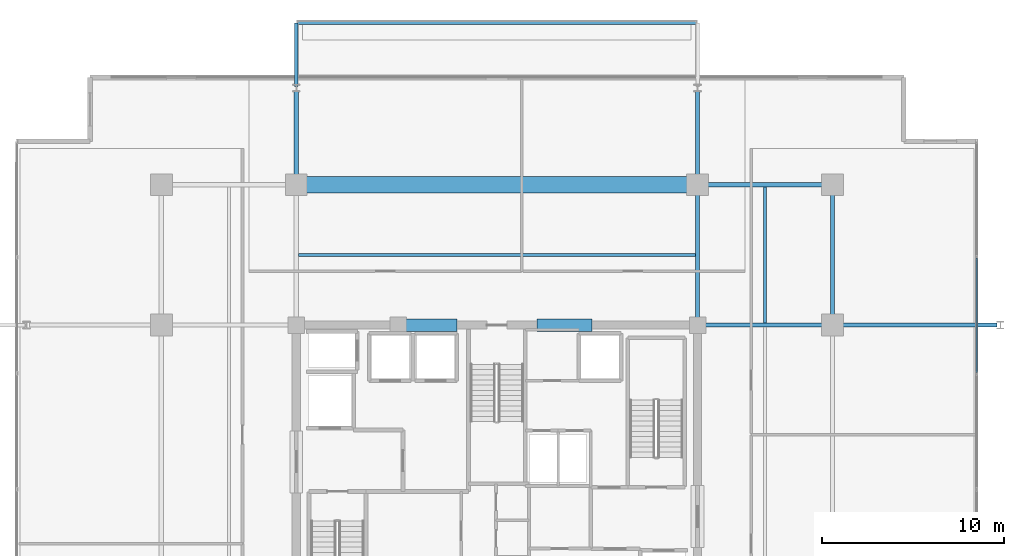
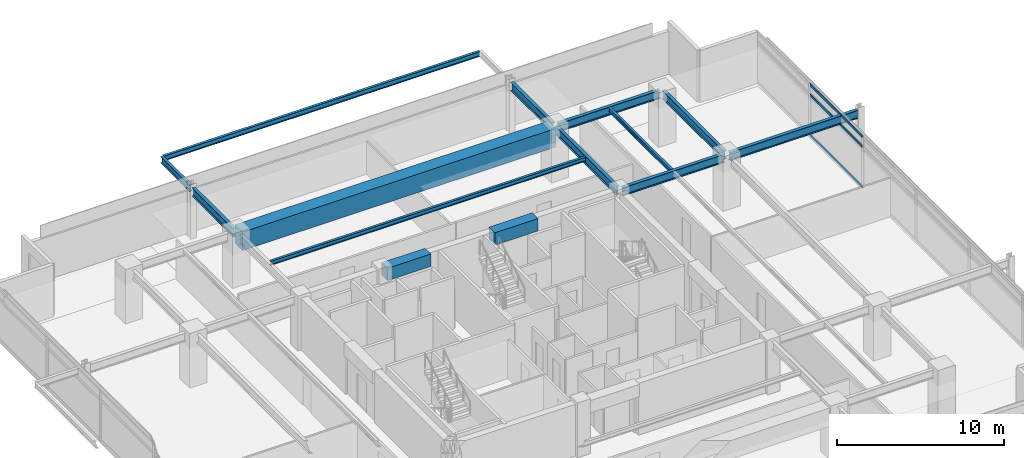
# One storey, part 12 of 23: 14 beams, 3 members, 1 element without a shape of its own.
"""IFC4 building model written with IfcOpenShell, lengths in metres."""

from ifc_helpers import new_model, si_unit, direction, frame, origin, origin_2d, place, context, subcontext, project, spatial, rectangle, hollow_rectangle, i_section, extrude, material, material_profile, profile_set, type_object, element, aggregate, save


model = new_model("IFC4")

# Units and contexts
model_context = context("Model", 3, precision=1e-05, world=origin(), true_north=direction((0.0, 1.0)))
body_context = subcontext(model_context, "Body", "Model", "MODEL_VIEW")
ifc_project = project(units=[si_unit("LENGTHUNIT", "METRE"), si_unit("AREAUNIT", "SQUARE_METRE"), si_unit("VOLUMEUNIT", "CUBIC_METRE"), si_unit("PLANEANGLEUNIT", "RADIAN"), si_unit("MASSUNIT", "GRAM", prefix="KILO")], contexts=[model_context])

# Site, building, storey
site_placement = place(None, origin())
site = spatial("IfcSite", under=ifc_project, at=site_placement, CompositionType="ELEMENT")
building_placement = place(site_placement, origin())
building = spatial("IfcBuilding", under=site, at=building_placement, Name="Kovane Verandah Tower", CompositionType="ELEMENT")
storey_placement = place(building_placement, frame((0.0, 0.0, 243.199951171875)))
storey = spatial("IfcBuildingStorey", under=building, at=storey_placement, Name="L56", CompositionType="ELEMENT", Elevation=243.199951171875)

# Beams
ifc_material_1 = material(Name="Concrete C60/75", Category="concrete")
ifc_material_profile_1 = material_profile(ifc_material_1, rectangle(XDim=0.699951171875, YDim=0.89990234375, at=origin_2d()), Name="RCB700x900")
ifc_profile_set_1 = profile_set([ifc_material_profile_1], Name="Concrete C60/75")
beam_type_1 = type_object("IfcBeamType", Name="BM-LINTEL-700x900", PredefinedType="LINTEL", material=ifc_profile_set_1)
for number, where, z_axis, x_axis, name in (
    (1, (34.800048828125, 36.5, 3.3349609375), (1.0, 0.0, 0.0), (0.0, 1.0, 0.0), "L56 Core Coupling Lintel CL-N1"),
    (2, (42.199951171875, 36.5, 3.3349609375), (1.0, 0.0, 0.0), (0.0, 1.0, 0.0), "L56 Core Coupling Lintel CL-N2"),
):
    element("IfcBeam", number, at=place(storey_placement, frame(where, z_axis=z_axis, x_axis=x_axis)), inside=storey, type_object=beam_type_1, Name=name, PredefinedType="LINTEL", context=body_context, shape_type="SweptSolid", body=[
        extrude(rectangle(XDim=0.699951171875, YDim=0.89990234375, at=origin_2d()), origin(), (0.0, 0.0, 1.0), 3.0),
    ])
ifc_material_2 = material(Name="Concrete C80/95", Category="concrete")
ifc_material_profile_2 = material_profile(ifc_material_2, rectangle(XDim=0.89990234375, YDim=1.35009765625, at=origin_2d()), Name="RCB900x1350")
ifc_profile_set_2 = profile_set([ifc_material_profile_2], Name="Concrete C80/95")
beam_type_2 = type_object("IfcBeamType", Name="BM-TR-900x1350", PredefinedType="BEAM", material=ifc_profile_set_2)
beam_1_placement = place(storey_placement, frame((29.179931640625, 44.199951171875, 3.110107421875), z_axis=(1.0, 0.0, 0.0), x_axis=(0.0, 1.0, 0.0)))
element("IfcBeam", 3, at=beam_1_placement, inside=storey, type_object=beam_type_2, Name="L56 Primary Tower Girder G-RN2", PredefinedType="BEAM", context=body_context, shape_type="SweptSolid", body=[
    extrude(rectangle(XDim=0.89990234375, YDim=1.35009765625, at=origin_2d()), origin(), (0.0, 0.0, 1.0), 21.64013671875),
])
ifc_material_3 = material(Name="Steel S355", Category="steel")
ifc_material_profile_3 = material_profile(ifc_material_3, i_section(OverallWidth=0.230224609375, OverallDepth=0.6171875, WebThickness=0.01318359375, FlangeThickness=0.022216796875, FilletRadius=0.0126953125, at=origin_2d()), Name="UB610x229x140")
ifc_profile_set_3 = profile_set([ifc_material_profile_3], Name="Steel S355")
beam_type_3 = type_object("IfcBeamType", Name="BM-UB610x140", PredefinedType="BEAM", material=ifc_profile_set_3)
beam_2_placement = place(storey_placement, frame((51.179931640625, 44.199951171875, 3.4765625), z_axis=(1.0, 0.0, 0.0), x_axis=(0.0, 1.0, 0.0)))
element("IfcBeam", 4, at=beam_2_placement, inside=storey, type_object=beam_type_3, Name="L56 Primary Tower Girder G-RN3", PredefinedType="BEAM", context=body_context, shape_type="SweptSolid", body=[
    extrude(i_section(OverallWidth=0.230224609375, OverallDepth=0.6171875, WebThickness=0.01318359375, FlangeThickness=0.022216796875, FilletRadius=0.0126953125, at=origin_2d()), origin(), (0.0, 0.0, 1.0), 7.0400390625),
])
beam_3_placement = place(storey_placement, frame((58.39990234375, 36.679931640625, 3.4765625), z_axis=(0.0, 1.0, 0.0), x_axis=(-1.0, 0.0, 0.0)))
element("IfcBeam", 5, at=beam_3_placement, inside=storey, type_object=beam_type_3, Name="L56 Primary Tower Girder G-RE3", PredefinedType="BEAM", context=body_context, shape_type="SweptSolid", body=[
    extrude(i_section(OverallWidth=0.230224609375, OverallDepth=0.6171875, WebThickness=0.01318359375, FlangeThickness=0.022216796875, FilletRadius=0.0126953125, at=origin_2d()), origin(), (0.0, 0.0, 1.0), 7.340087890625),
])
beam_4_placement = place(storey_placement, frame((51.179931640625, 36.5, 3.4765625), z_axis=(1.0, 0.0, 0.0), x_axis=(0.0, 1.0, 0.0)))
element("IfcBeam", 6, at=beam_4_placement, inside=storey, type_object=beam_type_3, Name="L56 Primary Tower Girder G-E2", PredefinedType="BEAM", context=body_context, shape_type="SweptSolid", body=[
    extrude(i_section(OverallWidth=0.230224609375, OverallDepth=0.6171875, WebThickness=0.01318359375, FlangeThickness=0.022216796875, FilletRadius=0.0126953125, at=origin_2d()), origin(), (0.0, 0.0, 1.0), 7.0400390625),
])
beam_5_placement = place(storey_placement, frame((51.0, 36.679931640625, 3.4765625), z_axis=(0.0, 1.0, 0.0), x_axis=(-1.0, 0.0, 0.0)))
element("IfcBeam", 7, at=beam_5_placement, inside=storey, type_object=beam_type_3, Name="L56 Primary Tower Girder G-N2", PredefinedType="BEAM", context=body_context, shape_type="SweptSolid", body=[
    extrude(i_section(OverallWidth=0.230224609375, OverallDepth=0.6171875, WebThickness=0.01318359375, FlangeThickness=0.022216796875, FilletRadius=0.0126953125, at=origin_2d()), origin(), (0.0, 0.0, 1.0), 7.340087890625),
])
beam_6_placement = place(storey_placement, frame((58.580078125, 36.5, 3.451416015625), z_axis=(1.0, 0.0, 0.0), x_axis=(0.0, 1.0, 0.0)))
element("IfcBeam", 8, at=beam_6_placement, inside=storey, type_object=beam_type_3, Name="L56 Primary Tower Girder G-VE2", PredefinedType="BEAM", context=body_context, shape_type="SweptSolid", body=[
    extrude(i_section(OverallWidth=0.230224609375, OverallDepth=0.6171875, WebThickness=0.01318359375, FlangeThickness=0.022216796875, FilletRadius=0.0126953125, at=origin_2d()), origin(), (0.0, 0.0, 1.0), 8.83984375),
])
for number, where, z_axis, x_axis, name in (
    (9, (29.0, 44.3798828125, 3.451416015625), (0.0, 1.0, 0.0), (-1.0, 0.0, 0.0), "L56 Primary Tower Girder G-VN1"),
    (10, (51.0, 44.3798828125, 3.451416015625), (0.0, 1.0, 0.0), (-1.0, 0.0, 0.0), "L56 Primary Tower Girder G-VN2"),
):
    element("IfcBeam", number, at=place(storey_placement, frame(where, z_axis=z_axis, x_axis=x_axis)), inside=storey, type_object=beam_type_3, Name=name, PredefinedType="BEAM", context=body_context, shape_type="SweptSolid", body=[
        extrude(i_section(OverallWidth=0.230224609375, OverallDepth=0.6171875, WebThickness=0.01318359375, FlangeThickness=0.022216796875, FilletRadius=0.0126953125, at=origin_2d()), origin(), (0.0, 0.0, 1.0), 4.940185546875),
    ])

# Curtain wall, members
ifc_material_4 = material(Name="Champagne Anodised Aluminium Frame with Low-E Clear Laminated Glass", Category="aluminium")
curtain_wall_type = type_object("IfcCurtainWallType", Name="CW-SYS-05-HIGH", PredefinedType="NOTDEFINED", material=ifc_material_4)
curtain_wall_placement = place(storey_placement, origin())
curtain_wall = element("IfcCurtainWall", 11, at=curtain_wall_placement, inside=storey, type_object=curtain_wall_type, Name="L56 E Unitised Curtain Wall", PredefinedType="NOTDEFINED")
ifc_material_5 = material(Name="Champagne Anodised Aluminium 6063-T6", Category="aluminium")
ifc_material_profile_4 = material_profile(ifc_material_5, hollow_rectangle(XDim=0.0849609375, YDim=0.18994140625, WallThickness=0.00390625, at=origin_2d()), Name="AL85x190x4")
ifc_profile_set_4 = profile_set([ifc_material_profile_4], Name="Champagne Anodised Aluminium 6063-T6")
member_type = type_object("IfcMemberType", Name="CW-TRN-85x190", PredefinedType="USERDEFINED", material=ifc_profile_set_4)
member_1_placement = place(storey_placement, frame((66.3076171875, 33.909912109375, 0.050048828125), z_axis=(0.0, 1.0, 0.0), x_axis=(-1.0, 0.0, 0.0)))
member_1 = element("IfcMember", 12, at=member_1_placement, type_object=member_type, Name="L56 E Unitised Curtain Wall Transom TB Bay 5", ObjectType="TRANSOM", PredefinedType="USERDEFINED", context=body_context, shape_type="SweptSolid", body=[
    extrude(hollow_rectangle(XDim=0.0849609375, YDim=0.18994140625, WallThickness=0.00390625, at=origin_2d()), origin(), (0.0, 0.0, 1.0), 6.260009765625),
])
member_2_placement = place(storey_placement, frame((66.3076171875, 33.909912109375, 3.005126953125), z_axis=(0.0, 1.0, 0.0), x_axis=(-1.0, 0.0, 0.0)))
member_2 = element("IfcMember", 13, at=member_2_placement, type_object=member_type, Name="L56 E Unitised Curtain Wall Transom TM Bay 5", ObjectType="TRANSOM", PredefinedType="USERDEFINED", context=body_context, shape_type="SweptSolid", body=[
    extrude(hollow_rectangle(XDim=0.0849609375, YDim=0.18994140625, WallThickness=0.00390625, at=origin_2d()), origin(), (0.0, 0.0, 1.0), 6.260009765625),
])
member_3_placement = place(storey_placement, frame((66.3076171875, 33.909912109375, 3.735107421875), z_axis=(0.0, 1.0, 0.0), x_axis=(-1.0, 0.0, 0.0)))
member_3 = element("IfcMember", 14, at=member_3_placement, type_object=member_type, Name="L56 E Unitised Curtain Wall Transom TT Bay 5", ObjectType="TRANSOM", PredefinedType="USERDEFINED", context=body_context, shape_type="SweptSolid", body=[
    extrude(hollow_rectangle(XDim=0.0849609375, YDim=0.18994140625, WallThickness=0.00390625, at=origin_2d()), origin(), (0.0, 0.0, 1.0), 6.260009765625),
])
aggregate(curtain_wall, [member_1, member_2, member_3])

# Beams
ifc_material_profile_5 = material_profile(ifc_material_3, i_section(OverallWidth=0.1669921875, OverallDepth=0.310302734375, WebThickness=0.0078125, FlangeThickness=0.013671875, FilletRadius=0.0087890625, at=origin_2d()), Name="UB305x165x54")
ifc_profile_set_5 = profile_set([ifc_material_profile_5], Name="Steel S355")
beam_type_4 = type_object("IfcBeamType", Name="JST-UB305x54", PredefinedType="JOIST", material=ifc_profile_set_5)
beam_7_placement = place(storey_placement, frame((29.113037109375, 40.35009765625, 3.6298828125), z_axis=(1.0, 0.0, 0.0), x_axis=(0.0, 1.0, 0.0)))
element("IfcBeam", 15, at=beam_7_placement, inside=storey, type_object=beam_type_4, Name="L56 Secondary Composite Joist J-N1", PredefinedType="JOIST", context=body_context, shape_type="SweptSolid", body=[
    extrude(i_section(OverallWidth=0.1669921875, OverallDepth=0.310302734375, WebThickness=0.0078125, FlangeThickness=0.013671875, FilletRadius=0.0087890625, at=origin_2d()), origin(), (0.0, 0.0, 1.0), 21.77392578125),
])
beam_8_placement = place(storey_placement, frame((54.699951171875, 36.613037109375, 3.6298828125), z_axis=(0.0, 1.0, 0.0), x_axis=(-1.0, 0.0, 0.0)))
element("IfcBeam", 16, at=beam_8_placement, inside=storey, type_object=beam_type_4, Name="L56 Secondary Composite Joist J-NE1", PredefinedType="JOIST", context=body_context, shape_type="SweptSolid", body=[
    extrude(i_section(OverallWidth=0.1669921875, OverallDepth=0.310302734375, WebThickness=0.0078125, FlangeThickness=0.013671875, FilletRadius=0.0087890625, at=origin_2d()), origin(), (0.0, 0.0, 1.0), 7.473876953125),
])
ifc_material_profile_6 = material_profile(ifc_material_3, i_section(OverallWidth=0.19287109375, OverallDepth=0.46728515625, WebThickness=0.011474609375, FlangeThickness=0.01953125, FilletRadius=0.01025390625, at=origin_2d()), Name="UB457x191x98")
ifc_profile_set_6 = profile_set([ifc_material_profile_6], Name="Steel S355")
beam_type_5 = type_object("IfcBeamType", Name="JST-UB457x98", PredefinedType="JOIST", material=ifc_profile_set_6)
beam_9_placement = place(storey_placement, frame((29.0, 49.580078125, 3.5263671875), z_axis=(0.0, 1.0, 0.0), x_axis=(-1.0, 0.0, 0.0)))
element("IfcBeam", 17, at=beam_9_placement, inside=storey, type_object=beam_type_5, Name="L56 North Planter Girder 1", PredefinedType="JOIST", context=body_context, shape_type="SweptSolid", body=[
    extrude(i_section(OverallWidth=0.19287109375, OverallDepth=0.46728515625, WebThickness=0.011474609375, FlangeThickness=0.01953125, FilletRadius=0.01025390625, at=origin_2d()), origin(), (0.0, 0.0, 1.0), 3.488037109375),
])
ifc_material_profile_7 = material_profile(ifc_material_3, i_section(OverallWidth=0.173095703125, OverallDepth=0.36328125, WebThickness=0.009033203125, FlangeThickness=0.015625, FilletRadius=0.01025390625, at=origin_2d()), Name="UB356x171x67")
ifc_profile_set_7 = profile_set([ifc_material_profile_7], Name="Steel S355")
beam_type_6 = type_object("IfcBeamType", Name="SPD-UB356x67", PredefinedType="USERDEFINED", material=ifc_profile_set_7)
beam_10_placement = place(storey_placement, frame((29.094482421875, 53.068115234375, 3.578369140625), z_axis=(1.0, 0.0, 0.0), x_axis=(0.0, 1.0, 0.0)))
element("IfcBeam", 18, at=beam_10_placement, inside=storey, type_object=beam_type_6, Name="L56 North Planter Edge Spandrel", ObjectType="SPANDREL", PredefinedType="USERDEFINED", context=body_context, shape_type="SweptSolid", body=[
    extrude(i_section(OverallWidth=0.173095703125, OverallDepth=0.36328125, WebThickness=0.009033203125, FlangeThickness=0.015625, FilletRadius=0.01025390625, at=origin_2d()), origin(), (0.0, 0.0, 1.0), 21.81103515625),
])

save(model, "model.ifc")
